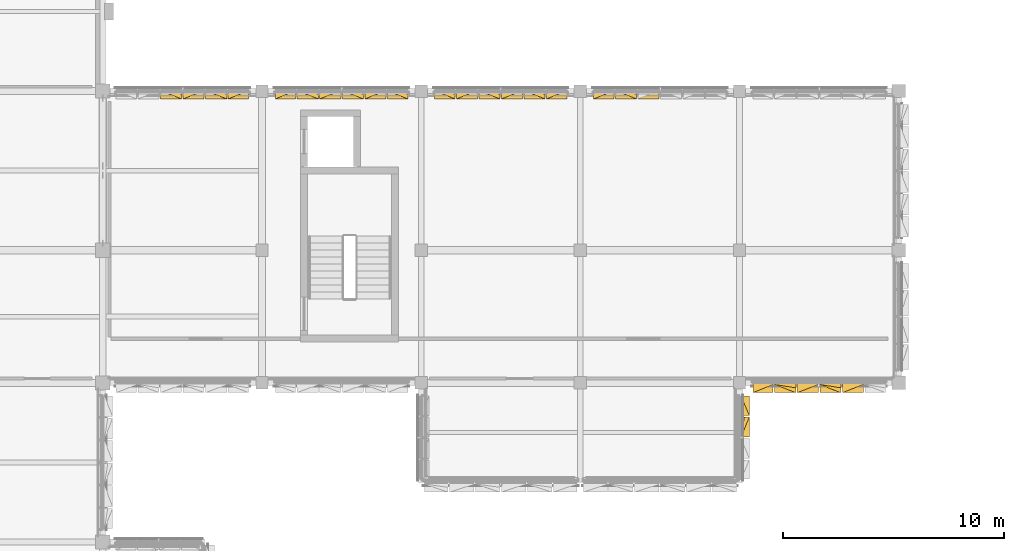
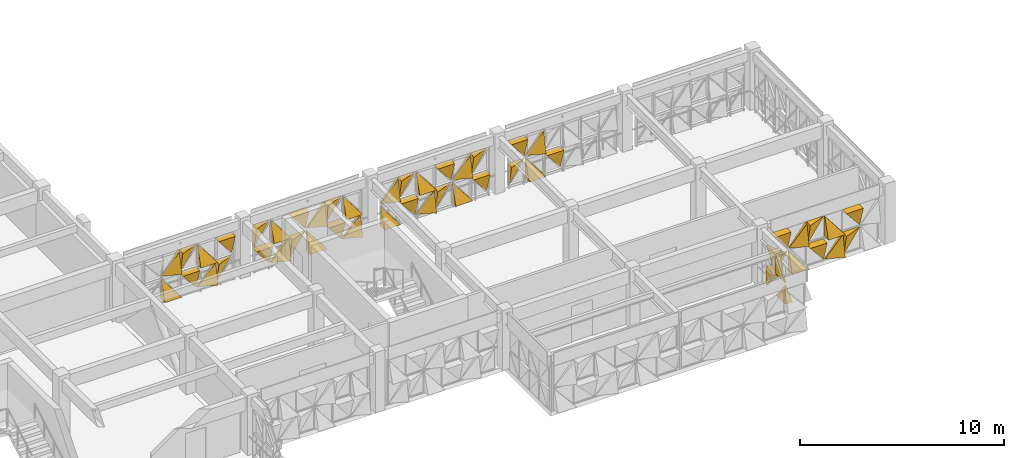
# One storey, part 83 of 85: 51 coverings.
"""IFC4 building model written with IfcOpenShell, lengths in metres."""

from ifc_helpers import new_model, si_unit, direction, frame, origin, place, context, subcontext, project, spatial, polygons, material, layer, layer_set, type_object, element, save


model = new_model("IFC4")

# Units and contexts
model_context = context("Model", 3, precision=1e-05, world=origin(), true_north=direction((0.0, 1.0)))
body_context = subcontext(model_context, "Body", "Model", "MODEL_VIEW")
ifc_project = project(units=[si_unit("LENGTHUNIT", "METRE"), si_unit("AREAUNIT", "SQUARE_METRE"), si_unit("VOLUMEUNIT", "CUBIC_METRE"), si_unit("PLANEANGLEUNIT", "RADIAN"), si_unit("MASSUNIT", "GRAM", prefix="KILO")], contexts=[model_context])

# Site, building, storey
site_placement = place(None, origin())
site = spatial("IfcSite", under=ifc_project, at=site_placement, CompositionType="ELEMENT")
building_placement = place(site_placement, origin())
building = spatial("IfcBuilding", under=site, at=building_placement, Name="Alvorim Cloister Faculty of Sciences", CompositionType="ELEMENT")
storey_placement = place(building_placement, frame((0.0, 0.0, 8.550048828125)))
storey = spatial("IfcBuildingStorey", under=building, at=storey_placement, Name="L02", CompositionType="ELEMENT", Elevation=8.550048828125)

# Coverings
ifc_material = material(Name="Perforated Bronze Alloy Sheet", Category="metal")
ifc_layer = layer(ifc_material, 0.0380859375)
ifc_layer_set = layer_set([ifc_layer], Name="Perforated Bronze Alloy Sheet")
covering_type = type_object("IfcCoveringType", Name="COV-TRI-BRZ", PredefinedType="CLADDING", material=ifc_layer_set)
covering_1_placement = place(storey_placement, frame((31.41259765625, 56.445068359375, 0.139892578125), z_axis=(0.0, 0.0, 1.0), x_axis=(1.0, 0.0, 0.0)))
element("IfcCovering", 1, at=covering_1_placement, inside=storey, type_object=covering_type, Name="Diagonal Solid Metal Triangle TRI-BL", PredefinedType="CLADDING", context=body_context, shape_type="Tessellation", body=[
    polygons([(0.0, 0.0260009765625, 0.0), (0.953078125, 0.0260009765625, 0.0), (0.0, 0.0260009765625, 1.213087890625), (0.0, -0.4, 0.0), (0.953078125, -0.4, 0.0), (0.0, -0.03, 1.213087890625)], [[[1, 3, 2]], [[4, 5, 6]], [[1, 2, 5, 4]], [[2, 3, 6, 5]], [[3, 1, 4, 6]]], closed=True),
])
covering_2_placement = place(storey_placement, frame((31.41259765625, 56.445068359375, 1.494873046875), z_axis=(0.0, 0.0, 1.0), x_axis=(1.0, 0.0, 0.0)))
element("IfcCovering", 2, at=covering_2_placement, inside=storey, type_object=covering_type, Name="Diagonal Solid Metal Triangle TRI-BR", PredefinedType="CLADDING", context=body_context, shape_type="Tessellation", body=[
    polygons([(0.002, 0.0260009765625, 0.0), (0.955078125, 0.0260009765625, 0.0), (0.955078125, 0.0260009765625, 1.213087890625), (0.002, -0.03, 0.0), (0.955078125, -0.4, 0.0), (0.955078125, -0.18000000000000002, 1.213087890625)], [[[1, 3, 2]], [[4, 5, 6]], [[1, 2, 5, 4]], [[2, 3, 6, 5]], [[3, 1, 4, 6]]], closed=True),
])
covering_3_placement = place(storey_placement, frame((32.4326171875, 56.445068359375, 0.139892578125), z_axis=(0.0, 0.0, 1.0), x_axis=(1.0, 0.0, 0.0)))
element("IfcCovering", 3, at=covering_3_placement, inside=storey, type_object=covering_type, Name="Diagonal Solid Metal Triangle TRI-TR", PredefinedType="CLADDING", context=body_context, shape_type="Tessellation", body=[
    polygons([(0.955078125, 0.0260009765625, 0.002), (0.955078125, 0.0260009765625, 1.215087890625), (0.002, 0.0260009765625, 1.215087890625), (0.955078125, -0.03, 0.002), (0.955078125, -0.4, 1.215087890625), (0.002, -0.4, 1.215087890625)], [[[1, 3, 2]], [[4, 5, 6]], [[1, 2, 5, 4]], [[2, 3, 6, 5]], [[3, 1, 4, 6]]], closed=True),
])
covering_4_placement = place(storey_placement, frame((32.4326171875, 56.445068359375, 1.494873046875), z_axis=(0.0, 0.0, 1.0), x_axis=(1.0, 0.0, 0.0)))
element("IfcCovering", 4, at=covering_4_placement, inside=storey, type_object=covering_type, Name="Diagonal Solid Metal Triangle TRI-TL", PredefinedType="CLADDING", context=body_context, shape_type="Tessellation", body=[
    polygons([(0.953078125, 0.0260009765625, 1.215087890625), (0.0, 0.0260009765625, 1.215087890625), (0.0, 0.0260009765625, 0.002), (0.953078125, -0.03, 1.215087890625), (0.0, -0.4, 1.215087890625), (0.0, -0.13999999999999999, 0.002)], [[[1, 3, 2]], [[4, 5, 6]], [[1, 2, 5, 4]], [[2, 3, 6, 5]], [[3, 1, 4, 6]]], closed=True),
])
covering_5_placement = place(storey_placement, frame((33.452392578125, 56.445068359375, 0.139892578125), z_axis=(0.0, 0.0, 1.0), x_axis=(1.0, 0.0, 0.0)))
element("IfcCovering", 5, at=covering_5_placement, inside=storey, type_object=covering_type, Name="Diagonal Solid Metal Triangle TRI-BR", PredefinedType="CLADDING", context=body_context, shape_type="Tessellation", body=[
    polygons([(0.002, 0.0260009765625, 0.0), (0.955078125, 0.0260009765625, 0.0), (0.955078125, 0.0260009765625, 1.213087890625), (0.002, -0.03, 0.0), (0.955078125, -0.4, 0.0), (0.955078125, -0.18000000000000002, 1.213087890625)], [[[1, 3, 2]], [[4, 5, 6]], [[1, 2, 5, 4]], [[2, 3, 6, 5]], [[3, 1, 4, 6]]], closed=True),
])
covering_6_placement = place(storey_placement, frame((33.452392578125, 56.445068359375, 1.494873046875), z_axis=(0.0, 0.0, 1.0), x_axis=(1.0, 0.0, 0.0)))
element("IfcCovering", 6, at=covering_6_placement, inside=storey, type_object=covering_type, Name="Diagonal Solid Metal Triangle TRI-BL", PredefinedType="CLADDING", context=body_context, shape_type="Tessellation", body=[
    polygons([(0.0, 0.0260009765625, 0.0), (0.953078125, 0.0260009765625, 0.0), (0.0, 0.0260009765625, 1.213087890625), (0.0, -0.4, 0.0), (0.953078125, -0.4, 0.0), (0.0, -0.03, 1.213087890625)], [[[1, 3, 2]], [[4, 5, 6]], [[1, 2, 5, 4]], [[2, 3, 6, 5]], [[3, 1, 4, 6]]], closed=True),
])
covering_7_placement = place(storey_placement, frame((34.472412109375, 56.445068359375, 0.139892578125), z_axis=(0.0, 0.0, 1.0), x_axis=(1.0, 0.0, 0.0)))
element("IfcCovering", 7, at=covering_7_placement, inside=storey, type_object=covering_type, Name="Diagonal Solid Metal Triangle TRI-TL", PredefinedType="CLADDING", context=body_context, shape_type="Tessellation", body=[
    polygons([(0.920607421875, 0.0260009765625, 1.215087890625), (0.0, 0.0260009765625, 1.215087890625), (0.0, 0.0260009765625, 0.002), (0.920607421875, -0.03, 1.215087890625), (0.0, -0.4, 1.215087890625), (0.0, -0.13999999999999999, 0.002)], [[[1, 3, 2]], [[4, 5, 6]], [[1, 2, 5, 4]], [[2, 3, 6, 5]], [[3, 1, 4, 6]]], closed=True),
])
for number, where, z_axis, x_axis, name in (
    (8, (34.472412109375, 56.445068359375, 1.494873046875), (0.0, 0.0, 1.0), (1.0, 0.0, 0.0), "Diagonal Solid Metal Triangle TRI-TR"),
    (9, (36.60498046875, 56.445068359375, 0.139892578125), (0.0, 0.0, 1.0), (1.0, 0.0, 0.0), "Diagonal Solid Metal Triangle TRI-TR"),
):
    element("IfcCovering", number, at=place(storey_placement, frame(where, z_axis=z_axis, x_axis=x_axis)), inside=storey, type_object=covering_type, Name=name, PredefinedType="CLADDING", context=body_context, shape_type="Tessellation", body=[
        polygons([(0.922607421875, 0.0260009765625, 0.002), (0.922607421875, 0.0260009765625, 1.215087890625), (0.002, 0.0260009765625, 1.215087890625), (0.922607421875, -0.03, 0.002), (0.922607421875, -0.4, 1.215087890625), (0.002, -0.4, 1.215087890625)], [[[1, 3, 2]], [[4, 5, 6]], [[1, 2, 5, 4]], [[2, 3, 6, 5]], [[3, 1, 4, 6]]], closed=True),
    ])
covering_8_placement = place(storey_placement, frame((36.60498046875, 56.445068359375, 1.494873046875), z_axis=(0.0, 0.0, 1.0), x_axis=(1.0, 0.0, 0.0)))
element("IfcCovering", 10, at=covering_8_placement, inside=storey, type_object=covering_type, Name="Diagonal Solid Metal Triangle TRI-TL", PredefinedType="CLADDING", context=body_context, shape_type="Tessellation", body=[
    polygons([(0.920607421875, 0.0260009765625, 1.215087890625), (0.0, 0.0260009765625, 1.215087890625), (0.0, 0.0260009765625, 0.002), (0.920607421875, -0.03, 1.215087890625), (0.0, -0.4, 1.215087890625), (0.0, -0.13999999999999999, 0.002)], [[[1, 3, 2]], [[4, 5, 6]], [[1, 2, 5, 4]], [[2, 3, 6, 5]], [[3, 1, 4, 6]]], closed=True),
])
covering_9_placement = place(storey_placement, frame((37.592529296875, 56.445068359375, 0.139892578125), z_axis=(0.0, 0.0, 1.0), x_axis=(1.0, 0.0, 0.0)))
element("IfcCovering", 11, at=covering_9_placement, inside=storey, type_object=covering_type, Name="Diagonal Solid Metal Triangle TRI-BR", PredefinedType="CLADDING", context=body_context, shape_type="Tessellation", body=[
    polygons([(0.002, 0.0260009765625, 0.0), (0.955078125, 0.0260009765625, 0.0), (0.955078125, 0.0260009765625, 1.213087890625), (0.002, -0.03, 0.0), (0.955078125, -0.4, 0.0), (0.955078125, -0.18000000000000002, 1.213087890625)], [[[1, 3, 2]], [[4, 5, 6]], [[1, 2, 5, 4]], [[2, 3, 6, 5]], [[3, 1, 4, 6]]], closed=True),
])
covering_10_placement = place(storey_placement, frame((37.592529296875, 56.445068359375, 1.494873046875), z_axis=(0.0, 0.0, 1.0), x_axis=(1.0, 0.0, 0.0)))
element("IfcCovering", 12, at=covering_10_placement, inside=storey, type_object=covering_type, Name="Diagonal Solid Metal Triangle TRI-BL", PredefinedType="CLADDING", context=body_context, shape_type="Tessellation", body=[
    polygons([(0.0, 0.0260009765625, 0.0), (0.953078125, 0.0260009765625, 0.0), (0.0, 0.0260009765625, 1.213087890625), (0.0, -0.4, 0.0), (0.953078125, -0.4, 0.0), (0.0, -0.03, 1.213087890625)], [[[1, 3, 2]], [[4, 5, 6]], [[1, 2, 5, 4]], [[2, 3, 6, 5]], [[3, 1, 4, 6]]], closed=True),
])
covering_11_placement = place(storey_placement, frame((38.612548828125, 56.445068359375, 0.139892578125), z_axis=(0.0, 0.0, 1.0), x_axis=(1.0, 0.0, 0.0)))
element("IfcCovering", 13, at=covering_11_placement, inside=storey, type_object=covering_type, Name="Diagonal Solid Metal Triangle TRI-TL", PredefinedType="CLADDING", context=body_context, shape_type="Tessellation", body=[
    polygons([(0.953078125, 0.0260009765625, 1.215087890625), (0.0, 0.0260009765625, 1.215087890625), (0.0, 0.0260009765625, 0.002), (0.953078125, -0.03, 1.215087890625), (0.0, -0.4, 1.215087890625), (0.0, -0.13999999999999999, 0.002)], [[[1, 3, 2]], [[4, 5, 6]], [[1, 2, 5, 4]], [[2, 3, 6, 5]], [[3, 1, 4, 6]]], closed=True),
])
covering_12_placement = place(storey_placement, frame((38.612548828125, 56.445068359375, 1.494873046875), z_axis=(0.0, 0.0, 1.0), x_axis=(1.0, 0.0, 0.0)))
element("IfcCovering", 14, at=covering_12_placement, inside=storey, type_object=covering_type, Name="Diagonal Solid Metal Triangle TRI-TR", PredefinedType="CLADDING", context=body_context, shape_type="Tessellation", body=[
    polygons([(0.955078125, 0.0260009765625, 0.002), (0.955078125, 0.0260009765625, 1.215087890625), (0.002, 0.0260009765625, 1.215087890625), (0.955078125, -0.03, 0.002), (0.955078125, -0.4, 1.215087890625), (0.002, -0.4, 1.215087890625)], [[[1, 3, 2]], [[4, 5, 6]], [[1, 2, 5, 4]], [[2, 3, 6, 5]], [[3, 1, 4, 6]]], closed=True),
])
covering_13_placement = place(storey_placement, frame((39.632568359375, 56.445068359375, 0.139892578125), z_axis=(0.0, 0.0, 1.0), x_axis=(1.0, 0.0, 0.0)))
element("IfcCovering", 15, at=covering_13_placement, inside=storey, type_object=covering_type, Name="Diagonal Solid Metal Triangle TRI-BL", PredefinedType="CLADDING", context=body_context, shape_type="Tessellation", body=[
    polygons([(0.0, 0.0260009765625, 0.0), (0.953078125, 0.0260009765625, 0.0), (0.0, 0.0260009765625, 1.213087890625), (0.0, -0.4, 0.0), (0.953078125, -0.4, 0.0), (0.0, -0.03, 1.213087890625)], [[[1, 3, 2]], [[4, 5, 6]], [[1, 2, 5, 4]], [[2, 3, 6, 5]], [[3, 1, 4, 6]]], closed=True),
])
covering_14_placement = place(storey_placement, frame((39.632568359375, 56.445068359375, 1.494873046875), z_axis=(0.0, 0.0, 1.0), x_axis=(1.0, 0.0, 0.0)))
element("IfcCovering", 16, at=covering_14_placement, inside=storey, type_object=covering_type, Name="Diagonal Solid Metal Triangle TRI-BR", PredefinedType="CLADDING", context=body_context, shape_type="Tessellation", body=[
    polygons([(0.002, 0.0260009765625, 0.0), (0.955078125, 0.0260009765625, 0.0), (0.955078125, 0.0260009765625, 1.213087890625), (0.002, -0.03, 0.0), (0.955078125, -0.4, 0.0), (0.955078125, -0.18000000000000002, 1.213087890625)], [[[1, 3, 2]], [[4, 5, 6]], [[1, 2, 5, 4]], [[2, 3, 6, 5]], [[3, 1, 4, 6]]], closed=True),
])
covering_15_placement = place(storey_placement, frame((40.652587890625, 56.445068359375, 0.139892578125), z_axis=(0.0, 0.0, 1.0), x_axis=(1.0, 0.0, 0.0)))
element("IfcCovering", 17, at=covering_15_placement, inside=storey, type_object=covering_type, Name="Diagonal Solid Metal Triangle TRI-TR", PredefinedType="CLADDING", context=body_context, shape_type="Tessellation", body=[
    polygons([(0.955078125, 0.0260009765625, 0.002), (0.955078125, 0.0260009765625, 1.215087890625), (0.002, 0.0260009765625, 1.215087890625), (0.955078125, -0.03, 0.002), (0.955078125, -0.4, 1.215087890625), (0.002, -0.4, 1.215087890625)], [[[1, 3, 2]], [[4, 5, 6]], [[1, 2, 5, 4]], [[2, 3, 6, 5]], [[3, 1, 4, 6]]], closed=True),
])
covering_16_placement = place(storey_placement, frame((40.652587890625, 56.445068359375, 1.494873046875), z_axis=(0.0, 0.0, 1.0), x_axis=(1.0, 0.0, 0.0)))
element("IfcCovering", 18, at=covering_16_placement, inside=storey, type_object=covering_type, Name="Diagonal Solid Metal Triangle TRI-TL", PredefinedType="CLADDING", context=body_context, shape_type="Tessellation", body=[
    polygons([(0.953078125, 0.0260009765625, 1.215087890625), (0.0, 0.0260009765625, 1.215087890625), (0.0, 0.0260009765625, 0.002), (0.953078125, -0.03, 1.215087890625), (0.0, -0.4, 1.215087890625), (0.0, -0.13999999999999999, 0.002)], [[[1, 3, 2]], [[4, 5, 6]], [[1, 2, 5, 4]], [[2, 3, 6, 5]], [[3, 1, 4, 6]]], closed=True),
])
covering_17_placement = place(storey_placement, frame((41.672607421875, 56.445068359375, 0.139892578125), z_axis=(0.0, 0.0, 1.0), x_axis=(1.0, 0.0, 0.0)))
element("IfcCovering", 19, at=covering_17_placement, inside=storey, type_object=covering_type, Name="Diagonal Solid Metal Triangle TRI-BR", PredefinedType="CLADDING", context=body_context, shape_type="Tessellation", body=[
    polygons([(0.002, 0.0260009765625, 0.0), (0.922607421875, 0.0260009765625, 0.0), (0.922607421875, 0.0260009765625, 1.213087890625), (0.002, -0.03, 0.0), (0.922607421875, -0.4, 0.0), (0.922607421875, -0.18000000000000002, 1.213087890625)], [[[1, 3, 2]], [[4, 5, 6]], [[1, 2, 5, 4]], [[2, 3, 6, 5]], [[3, 1, 4, 6]]], closed=True),
])
for number, where, z_axis, x_axis, name in (
    (20, (41.672607421875, 56.445068359375, 1.494873046875), (0.0, 0.0, 1.0), (1.0, 0.0, 0.0), "Diagonal Solid Metal Triangle TRI-BL"),
    (21, (43.804931640625, 56.445068359375, 0.139892578125), (0.0, 0.0, 1.0), (1.0, 0.0, 0.0), "Diagonal Solid Metal Triangle TRI-BL"),
):
    element("IfcCovering", number, at=place(storey_placement, frame(where, z_axis=z_axis, x_axis=x_axis)), inside=storey, type_object=covering_type, Name=name, PredefinedType="CLADDING", context=body_context, shape_type="Tessellation", body=[
        polygons([(0.0, 0.0260009765625, 0.0), (0.920607421875, 0.0260009765625, 0.0), (0.0, 0.0260009765625, 1.213087890625), (0.0, -0.4, 0.0), (0.920607421875, -0.4, 0.0), (0.0, -0.03, 1.213087890625)], [[[1, 3, 2]], [[4, 5, 6]], [[1, 2, 5, 4]], [[2, 3, 6, 5]], [[3, 1, 4, 6]]], closed=True),
    ])
covering_18_placement = place(storey_placement, frame((43.804931640625, 56.445068359375, 1.494873046875), z_axis=(0.0, 0.0, 1.0), x_axis=(1.0, 0.0, 0.0)))
element("IfcCovering", 22, at=covering_18_placement, inside=storey, type_object=covering_type, Name="Diagonal Solid Metal Triangle TRI-BR", PredefinedType="CLADDING", context=body_context, shape_type="Tessellation", body=[
    polygons([(0.002, 0.0260009765625, 0.0), (0.922607421875, 0.0260009765625, 0.0), (0.922607421875, 0.0260009765625, 1.213087890625), (0.002, -0.03, 0.0), (0.922607421875, -0.4, 0.0), (0.922607421875, -0.18000000000000002, 1.213087890625)], [[[1, 3, 2]], [[4, 5, 6]], [[1, 2, 5, 4]], [[2, 3, 6, 5]], [[3, 1, 4, 6]]], closed=True),
])
covering_19_placement = place(storey_placement, frame((44.79248046875, 56.445068359375, 0.139892578125), z_axis=(0.0, 0.0, 1.0), x_axis=(1.0, 0.0, 0.0)))
element("IfcCovering", 23, at=covering_19_placement, inside=storey, type_object=covering_type, Name="Diagonal Solid Metal Triangle TRI-TR", PredefinedType="CLADDING", context=body_context, shape_type="Tessellation", body=[
    polygons([(0.955078125, 0.0260009765625, 0.002), (0.955078125, 0.0260009765625, 1.215087890625), (0.002, 0.0260009765625, 1.215087890625), (0.955078125, -0.03, 0.002), (0.955078125, -0.4, 1.215087890625), (0.002, -0.4, 1.215087890625)], [[[1, 3, 2]], [[4, 5, 6]], [[1, 2, 5, 4]], [[2, 3, 6, 5]], [[3, 1, 4, 6]]], closed=True),
])
covering_20_placement = place(storey_placement, frame((44.79248046875, 56.445068359375, 1.494873046875), z_axis=(0.0, 0.0, 1.0), x_axis=(1.0, 0.0, 0.0)))
element("IfcCovering", 24, at=covering_20_placement, inside=storey, type_object=covering_type, Name="Diagonal Solid Metal Triangle TRI-TL", PredefinedType="CLADDING", context=body_context, shape_type="Tessellation", body=[
    polygons([(0.953078125, 0.0260009765625, 1.215087890625), (0.0, 0.0260009765625, 1.215087890625), (0.0, 0.0260009765625, 0.002), (0.953078125, -0.03, 1.215087890625), (0.0, -0.4, 1.215087890625), (0.0, -0.13999999999999999, 0.002)], [[[1, 3, 2]], [[4, 5, 6]], [[1, 2, 5, 4]], [[2, 3, 6, 5]], [[3, 1, 4, 6]]], closed=True),
])
covering_21_placement = place(storey_placement, frame((45.8125, 56.445068359375, 0.139892578125), z_axis=(0.0, 0.0, 1.0), x_axis=(1.0, 0.0, 0.0)))
element("IfcCovering", 25, at=covering_21_placement, inside=storey, type_object=covering_type, Name="Diagonal Solid Metal Triangle TRI-BR", PredefinedType="CLADDING", context=body_context, shape_type="Tessellation", body=[
    polygons([(0.002, 0.0260009765625, 0.0), (0.955078125, 0.0260009765625, 0.0), (0.955078125, 0.0260009765625, 1.213087890625), (0.002, -0.03, 0.0), (0.955078125, -0.4, 0.0), (0.955078125, -0.18000000000000002, 1.213087890625)], [[[1, 3, 2]], [[4, 5, 6]], [[1, 2, 5, 4]], [[2, 3, 6, 5]], [[3, 1, 4, 6]]], closed=True),
])
covering_22_placement = place(storey_placement, frame((45.8125, 56.445068359375, 1.494873046875), z_axis=(0.0, 0.0, 1.0), x_axis=(1.0, 0.0, 0.0)))
element("IfcCovering", 26, at=covering_22_placement, inside=storey, type_object=covering_type, Name="Diagonal Solid Metal Triangle TRI-BL", PredefinedType="CLADDING", context=body_context, shape_type="Tessellation", body=[
    polygons([(0.0, 0.0260009765625, 0.0), (0.953078125, 0.0260009765625, 0.0), (0.0, 0.0260009765625, 1.213087890625), (0.0, -0.4, 0.0), (0.953078125, -0.4, 0.0), (0.0, -0.03, 1.213087890625)], [[[1, 3, 2]], [[4, 5, 6]], [[1, 2, 5, 4]], [[2, 3, 6, 5]], [[3, 1, 4, 6]]], closed=True),
])
covering_23_placement = place(storey_placement, frame((46.83251953125, 56.445068359375, 0.139892578125), z_axis=(0.0, 0.0, 1.0), x_axis=(1.0, 0.0, 0.0)))
element("IfcCovering", 27, at=covering_23_placement, inside=storey, type_object=covering_type, Name="Diagonal Solid Metal Triangle TRI-TL", PredefinedType="CLADDING", context=body_context, shape_type="Tessellation", body=[
    polygons([(0.953078125, 0.0260009765625, 1.215087890625), (0.0, 0.0260009765625, 1.215087890625), (0.0, 0.0260009765625, 0.002), (0.953078125, -0.03, 1.215087890625), (0.0, -0.4, 1.215087890625), (0.0, -0.13999999999999999, 0.002)], [[[1, 3, 2]], [[4, 5, 6]], [[1, 2, 5, 4]], [[2, 3, 6, 5]], [[3, 1, 4, 6]]], closed=True),
])
covering_24_placement = place(storey_placement, frame((46.83251953125, 56.445068359375, 1.494873046875), z_axis=(0.0, 0.0, 1.0), x_axis=(1.0, 0.0, 0.0)))
element("IfcCovering", 28, at=covering_24_placement, inside=storey, type_object=covering_type, Name="Diagonal Solid Metal Triangle TRI-TR", PredefinedType="CLADDING", context=body_context, shape_type="Tessellation", body=[
    polygons([(0.955078125, 0.0260009765625, 0.002), (0.955078125, 0.0260009765625, 1.215087890625), (0.002, 0.0260009765625, 1.215087890625), (0.955078125, -0.03, 0.002), (0.955078125, -0.4, 1.215087890625), (0.002, -0.4, 1.215087890625)], [[[1, 3, 2]], [[4, 5, 6]], [[1, 2, 5, 4]], [[2, 3, 6, 5]], [[3, 1, 4, 6]]], closed=True),
])
covering_25_placement = place(storey_placement, frame((47.8525390625, 56.445068359375, 0.139892578125), z_axis=(0.0, 0.0, 1.0), x_axis=(1.0, 0.0, 0.0)))
element("IfcCovering", 29, at=covering_25_placement, inside=storey, type_object=covering_type, Name="Diagonal Solid Metal Triangle TRI-BL", PredefinedType="CLADDING", context=body_context, shape_type="Tessellation", body=[
    polygons([(0.0, 0.0260009765625, 0.0), (0.953078125, 0.0260009765625, 0.0), (0.0, 0.0260009765625, 1.213087890625), (0.0, -0.4, 0.0), (0.953078125, -0.4, 0.0), (0.0, -0.03, 1.213087890625)], [[[1, 3, 2]], [[4, 5, 6]], [[1, 2, 5, 4]], [[2, 3, 6, 5]], [[3, 1, 4, 6]]], closed=True),
])
covering_26_placement = place(storey_placement, frame((47.8525390625, 56.445068359375, 1.494873046875), z_axis=(0.0, 0.0, 1.0), x_axis=(1.0, 0.0, 0.0)))
element("IfcCovering", 30, at=covering_26_placement, inside=storey, type_object=covering_type, Name="Diagonal Solid Metal Triangle TRI-BR", PredefinedType="CLADDING", context=body_context, shape_type="Tessellation", body=[
    polygons([(0.002, 0.0260009765625, 0.0), (0.955078125, 0.0260009765625, 0.0), (0.955078125, 0.0260009765625, 1.213087890625), (0.002, -0.03, 0.0), (0.955078125, -0.4, 0.0), (0.955078125, -0.18000000000000002, 1.213087890625)], [[[1, 3, 2]], [[4, 5, 6]], [[1, 2, 5, 4]], [[2, 3, 6, 5]], [[3, 1, 4, 6]]], closed=True),
])
covering_27_placement = place(storey_placement, frame((48.87255859375, 56.445068359375, 0.139892578125), z_axis=(0.0, 0.0, 1.0), x_axis=(1.0, 0.0, 0.0)))
element("IfcCovering", 31, at=covering_27_placement, inside=storey, type_object=covering_type, Name="Diagonal Solid Metal Triangle TRI-TR", PredefinedType="CLADDING", context=body_context, shape_type="Tessellation", body=[
    polygons([(0.922607421875, 0.0260009765625, 0.002), (0.922607421875, 0.0260009765625, 1.215087890625), (0.002, 0.0260009765625, 1.215087890625), (0.922607421875, -0.03, 0.002), (0.922607421875, -0.4, 1.215087890625), (0.002, -0.4, 1.215087890625)], [[[1, 3, 2]], [[4, 5, 6]], [[1, 2, 5, 4]], [[2, 3, 6, 5]], [[3, 1, 4, 6]]], closed=True),
])
for number, where, z_axis, x_axis, name in (
    (32, (48.87255859375, 56.445068359375, 1.494873046875), (0.0, 0.0, 1.0), (1.0, 0.0, 0.0), "Diagonal Solid Metal Triangle TRI-TL"),
    (33, (51.0048828125, 56.445068359375, 0.139892578125), (0.0, 0.0, 1.0), (1.0, 0.0, 0.0), "Diagonal Solid Metal Triangle TRI-TL"),
):
    element("IfcCovering", number, at=place(storey_placement, frame(where, z_axis=z_axis, x_axis=x_axis)), inside=storey, type_object=covering_type, Name=name, PredefinedType="CLADDING", context=body_context, shape_type="Tessellation", body=[
        polygons([(0.920607421875, 0.0260009765625, 1.215087890625), (0.0, 0.0260009765625, 1.215087890625), (0.0, 0.0260009765625, 0.002), (0.920607421875, -0.03, 1.215087890625), (0.0, -0.4, 1.215087890625), (0.0, -0.13999999999999999, 0.002)], [[[1, 3, 2]], [[4, 5, 6]], [[1, 2, 5, 4]], [[2, 3, 6, 5]], [[3, 1, 4, 6]]], closed=True),
    ])
covering_28_placement = place(storey_placement, frame((51.0048828125, 56.445068359375, 1.494873046875), z_axis=(0.0, 0.0, 1.0), x_axis=(1.0, 0.0, 0.0)))
element("IfcCovering", 34, at=covering_28_placement, inside=storey, type_object=covering_type, Name="Diagonal Solid Metal Triangle TRI-TR", PredefinedType="CLADDING", context=body_context, shape_type="Tessellation", body=[
    polygons([(0.922607421875, 0.0260009765625, 0.002), (0.922607421875, 0.0260009765625, 1.215087890625), (0.002, 0.0260009765625, 1.215087890625), (0.922607421875, -0.03, 0.002), (0.922607421875, -0.4, 1.215087890625), (0.002, -0.4, 1.215087890625)], [[[1, 3, 2]], [[4, 5, 6]], [[1, 2, 5, 4]], [[2, 3, 6, 5]], [[3, 1, 4, 6]]], closed=True),
])
covering_29_placement = place(storey_placement, frame((51.992431640625, 56.445068359375, 0.139892578125), z_axis=(0.0, 0.0, 1.0), x_axis=(1.0, 0.0, 0.0)))
element("IfcCovering", 35, at=covering_29_placement, inside=storey, type_object=covering_type, Name="Diagonal Solid Metal Triangle TRI-BL", PredefinedType="CLADDING", context=body_context, shape_type="Tessellation", body=[
    polygons([(0.0, 0.0260009765625, 0.0), (0.953078125, 0.0260009765625, 0.0), (0.0, 0.0260009765625, 1.213087890625), (0.0, -0.4, 0.0), (0.953078125, -0.4, 0.0), (0.0, -0.03, 1.213087890625)], [[[1, 3, 2]], [[4, 5, 6]], [[1, 2, 5, 4]], [[2, 3, 6, 5]], [[3, 1, 4, 6]]], closed=True),
])
covering_30_placement = place(storey_placement, frame((51.992431640625, 56.445068359375, 1.494873046875), z_axis=(0.0, 0.0, 1.0), x_axis=(1.0, 0.0, 0.0)))
element("IfcCovering", 36, at=covering_30_placement, inside=storey, type_object=covering_type, Name="Diagonal Solid Metal Triangle TRI-BR", PredefinedType="CLADDING", context=body_context, shape_type="Tessellation", body=[
    polygons([(0.002, 0.0260009765625, 0.0), (0.955078125, 0.0260009765625, 0.0), (0.955078125, 0.0260009765625, 1.213087890625), (0.002, -0.03, 0.0), (0.955078125, -0.4, 0.0), (0.955078125, -0.18000000000000002, 1.213087890625)], [[[1, 3, 2]], [[4, 5, 6]], [[1, 2, 5, 4]], [[2, 3, 6, 5]], [[3, 1, 4, 6]]], closed=True),
])
covering_31_placement = place(storey_placement, frame((53.012451171875, 56.445068359375, 0.139892578125), z_axis=(0.0, 0.0, 1.0), x_axis=(1.0, 0.0, 0.0)))
element("IfcCovering", 37, at=covering_31_placement, inside=storey, type_object=covering_type, Name="Diagonal Solid Metal Triangle TRI-TR", PredefinedType="CLADDING", context=body_context, shape_type="Tessellation", body=[
    polygons([(0.955078125, 0.0260009765625, 0.002), (0.955078125, 0.0260009765625, 1.215087890625), (0.002, 0.0260009765625, 1.215087890625), (0.955078125, -0.03, 0.002), (0.955078125, -0.4, 1.215087890625), (0.002, -0.4, 1.215087890625)], [[[1, 3, 2]], [[4, 5, 6]], [[1, 2, 5, 4]], [[2, 3, 6, 5]], [[3, 1, 4, 6]]], closed=True),
])
covering_32_placement = place(storey_placement, frame((58.205078125, 43.155029296875, 0.139892578125), z_axis=(0.0, 0.0, 1.0), x_axis=(1.0, 0.0, 0.0)))
element("IfcCovering", 38, at=covering_32_placement, inside=storey, type_object=covering_type, Name="Diagonal Solid Metal Triangle TRI-TL", PredefinedType="CLADDING", context=body_context, shape_type="Tessellation", body=[
    polygons([(0.920607421875, 0.0260009765625, 1.215087890625), (0.0, 0.0260009765625, 1.215087890625), (0.0, 0.0260009765625, 0.002), (0.920607421875, -0.03, 1.215087890625), (0.0, -0.4, 1.215087890625), (0.0, -0.13999999999999999, 0.002)], [[[1, 3, 2]], [[4, 5, 6]], [[1, 2, 5, 4]], [[2, 3, 6, 5]], [[3, 1, 4, 6]]], closed=True),
])
covering_33_placement = place(storey_placement, frame((58.205078125, 43.155029296875, 1.494873046875), z_axis=(0.0, 0.0, 1.0), x_axis=(1.0, 0.0, 0.0)))
element("IfcCovering", 39, at=covering_33_placement, inside=storey, type_object=covering_type, Name="Diagonal Solid Metal Triangle TRI-TR", PredefinedType="CLADDING", context=body_context, shape_type="Tessellation", body=[
    polygons([(0.922607421875, 0.0260009765625, 0.002), (0.922607421875, 0.0260009765625, 1.215087890625), (0.002, 0.0260009765625, 1.215087890625), (0.922607421875, -0.03, 0.002), (0.922607421875, -0.4, 1.215087890625), (0.002, -0.4, 1.215087890625)], [[[1, 3, 2]], [[4, 5, 6]], [[1, 2, 5, 4]], [[2, 3, 6, 5]], [[3, 1, 4, 6]]], closed=True),
])
covering_34_placement = place(storey_placement, frame((59.1923828125, 43.155029296875, 0.139892578125), z_axis=(0.0, 0.0, 1.0), x_axis=(1.0, 0.0, 0.0)))
element("IfcCovering", 40, at=covering_34_placement, inside=storey, type_object=covering_type, Name="Diagonal Solid Metal Triangle TRI-BL", PredefinedType="CLADDING", context=body_context, shape_type="Tessellation", body=[
    polygons([(0.0, 0.0260009765625, 0.0), (0.953078125, 0.0260009765625, 0.0), (0.0, 0.0260009765625, 1.213087890625), (0.0, -0.4, 0.0), (0.953078125, -0.4, 0.0), (0.0, -0.03, 1.213087890625)], [[[1, 3, 2]], [[4, 5, 6]], [[1, 2, 5, 4]], [[2, 3, 6, 5]], [[3, 1, 4, 6]]], closed=True),
])
covering_35_placement = place(storey_placement, frame((59.1923828125, 43.155029296875, 1.494873046875), z_axis=(0.0, 0.0, 1.0), x_axis=(1.0, 0.0, 0.0)))
element("IfcCovering", 41, at=covering_35_placement, inside=storey, type_object=covering_type, Name="Diagonal Solid Metal Triangle TRI-BR", PredefinedType="CLADDING", context=body_context, shape_type="Tessellation", body=[
    polygons([(0.002, 0.0260009765625, 0.0), (0.955078125, 0.0260009765625, 0.0), (0.955078125, 0.0260009765625, 1.213087890625), (0.002, -0.03, 0.0), (0.955078125, -0.4, 0.0), (0.955078125, -0.18000000000000002, 1.213087890625)], [[[1, 3, 2]], [[4, 5, 6]], [[1, 2, 5, 4]], [[2, 3, 6, 5]], [[3, 1, 4, 6]]], closed=True),
])
covering_36_placement = place(storey_placement, frame((60.21240234375, 43.155029296875, 0.139892578125), z_axis=(0.0, 0.0, 1.0), x_axis=(1.0, 0.0, 0.0)))
element("IfcCovering", 42, at=covering_36_placement, inside=storey, type_object=covering_type, Name="Diagonal Solid Metal Triangle TRI-TR", PredefinedType="CLADDING", context=body_context, shape_type="Tessellation", body=[
    polygons([(0.955078125, 0.0260009765625, 0.002), (0.955078125, 0.0260009765625, 1.215087890625), (0.002, 0.0260009765625, 1.215087890625), (0.955078125, -0.03, 0.002), (0.955078125, -0.4, 1.215087890625), (0.002, -0.4, 1.215087890625)], [[[1, 3, 2]], [[4, 5, 6]], [[1, 2, 5, 4]], [[2, 3, 6, 5]], [[3, 1, 4, 6]]], closed=True),
])
covering_37_placement = place(storey_placement, frame((60.21240234375, 43.155029296875, 1.494873046875), z_axis=(0.0, 0.0, 1.0), x_axis=(1.0, 0.0, 0.0)))
element("IfcCovering", 43, at=covering_37_placement, inside=storey, type_object=covering_type, Name="Diagonal Solid Metal Triangle TRI-TL", PredefinedType="CLADDING", context=body_context, shape_type="Tessellation", body=[
    polygons([(0.953078125, 0.0260009765625, 1.215087890625), (0.0, 0.0260009765625, 1.215087890625), (0.0, 0.0260009765625, 0.002), (0.953078125, -0.03, 1.215087890625), (0.0, -0.4, 1.215087890625), (0.0, -0.13999999999999999, 0.002)], [[[1, 3, 2]], [[4, 5, 6]], [[1, 2, 5, 4]], [[2, 3, 6, 5]], [[3, 1, 4, 6]]], closed=True),
])
covering_38_placement = place(storey_placement, frame((61.232421875, 43.155029296875, 0.139892578125), z_axis=(0.0, 0.0, 1.0), x_axis=(1.0, 0.0, 0.0)))
element("IfcCovering", 44, at=covering_38_placement, inside=storey, type_object=covering_type, Name="Diagonal Solid Metal Triangle TRI-BR", PredefinedType="CLADDING", context=body_context, shape_type="Tessellation", body=[
    polygons([(0.002, 0.0260009765625, 0.0), (0.955078125, 0.0260009765625, 0.0), (0.955078125, 0.0260009765625, 1.213087890625), (0.002, -0.03, 0.0), (0.955078125, -0.4, 0.0), (0.955078125, -0.18000000000000002, 1.213087890625)], [[[1, 3, 2]], [[4, 5, 6]], [[1, 2, 5, 4]], [[2, 3, 6, 5]], [[3, 1, 4, 6]]], closed=True),
])
covering_39_placement = place(storey_placement, frame((61.232421875, 43.155029296875, 1.494873046875), z_axis=(0.0, 0.0, 1.0), x_axis=(1.0, 0.0, 0.0)))
element("IfcCovering", 45, at=covering_39_placement, inside=storey, type_object=covering_type, Name="Diagonal Solid Metal Triangle TRI-BL", PredefinedType="CLADDING", context=body_context, shape_type="Tessellation", body=[
    polygons([(0.0, 0.0260009765625, 0.0), (0.953078125, 0.0260009765625, 0.0), (0.0, 0.0260009765625, 1.213087890625), (0.0, -0.4, 0.0), (0.953078125, -0.4, 0.0), (0.0, -0.03, 1.213087890625)], [[[1, 3, 2]], [[4, 5, 6]], [[1, 2, 5, 4]], [[2, 3, 6, 5]], [[3, 1, 4, 6]]], closed=True),
])
covering_40_placement = place(storey_placement, frame((62.25244140625, 43.155029296875, 0.139892578125), z_axis=(0.0, 0.0, 1.0), x_axis=(1.0, 0.0, 0.0)))
element("IfcCovering", 46, at=covering_40_placement, inside=storey, type_object=covering_type, Name="Diagonal Solid Metal Triangle TRI-TL", PredefinedType="CLADDING", context=body_context, shape_type="Tessellation", body=[
    polygons([(0.953078125, 0.0260009765625, 1.215087890625), (0.0, 0.0260009765625, 1.215087890625), (0.0, 0.0260009765625, 0.002), (0.953078125, -0.03, 1.215087890625), (0.0, -0.4, 1.215087890625), (0.0, -0.13999999999999999, 0.002)], [[[1, 3, 2]], [[4, 5, 6]], [[1, 2, 5, 4]], [[2, 3, 6, 5]], [[3, 1, 4, 6]]], closed=True),
])
covering_41_placement = place(storey_placement, frame((62.25244140625, 43.155029296875, 1.494873046875), z_axis=(0.0, 0.0, 1.0), x_axis=(1.0, 0.0, 0.0)))
element("IfcCovering", 47, at=covering_41_placement, inside=storey, type_object=covering_type, Name="Diagonal Solid Metal Triangle TRI-TR", PredefinedType="CLADDING", context=body_context, shape_type="Tessellation", body=[
    polygons([(0.955078125, 0.0260009765625, 0.002), (0.955078125, 0.0260009765625, 1.215087890625), (0.002, 0.0260009765625, 1.215087890625), (0.955078125, -0.03, 0.002), (0.955078125, -0.4, 1.215087890625), (0.002, -0.4, 1.215087890625)], [[[1, 3, 2]], [[4, 5, 6]], [[1, 2, 5, 4]], [[2, 3, 6, 5]], [[3, 1, 4, 6]]], closed=True),
])
covering_42_placement = place(storey_placement, frame((57.64501953125, 40.75244140625, 0.139892578125), z_axis=(0.0, 0.0, 1.0), x_axis=(0.0, 1.0, 0.0)))
element("IfcCovering", 48, at=covering_42_placement, inside=storey, type_object=covering_type, Name="Diagonal Solid Metal Triangle TRI-BL", PredefinedType="CLADDING", context=body_context, shape_type="Tessellation", body=[
    polygons([(0.0, 0.0260009765625, 0.0), (0.903029296875, 0.0260009765625, 0.0), (0.0, 0.0260009765625, 1.14106640625), (0.0, -0.4, 0.0), (0.903029296875, -0.4, 0.0), (0.0, -0.03, 1.14106640625)], [[[1, 3, 2]], [[4, 5, 6]], [[1, 2, 5, 4]], [[2, 3, 6, 5]], [[3, 1, 4, 6]]], closed=True),
])
covering_43_placement = place(storey_placement, frame((57.64501953125, 40.75244140625, 1.4228515625), z_axis=(0.0, 0.0, 1.0), x_axis=(0.0, 1.0, 0.0)))
element("IfcCovering", 49, at=covering_43_placement, inside=storey, type_object=covering_type, Name="Diagonal Solid Metal Triangle TRI-BR", PredefinedType="CLADDING", context=body_context, shape_type="Tessellation", body=[
    polygons([(0.002, 0.0260009765625, 0.0), (0.905029296875, 0.0260009765625, 0.0), (0.905029296875, 0.0260009765625, 1.14106640625), (0.002, -0.03, 0.0), (0.905029296875, -0.4, 0.0), (0.905029296875, -0.18000000000000002, 1.14106640625)], [[[1, 3, 2]], [[4, 5, 6]], [[1, 2, 5, 4]], [[2, 3, 6, 5]], [[3, 1, 4, 6]]], closed=True),
])
covering_44_placement = place(storey_placement, frame((57.64501953125, 41.722412109375, 0.139892578125), z_axis=(0.0, 0.0, 1.0), x_axis=(0.0, 1.0, 0.0)))
element("IfcCovering", 50, at=covering_44_placement, inside=storey, type_object=covering_type, Name="Diagonal Solid Metal Triangle TRI-TR", PredefinedType="CLADDING", context=body_context, shape_type="Tessellation", body=[
    polygons([(0.87255859375, 0.0260009765625, 0.002), (0.87255859375, 0.0260009765625, 1.14306640625), (0.002, 0.0260009765625, 1.14306640625), (0.87255859375, -0.03, 0.002), (0.87255859375, -0.4, 1.14306640625), (0.002, -0.4, 1.14306640625)], [[[1, 3, 2]], [[4, 5, 6]], [[1, 2, 5, 4]], [[2, 3, 6, 5]], [[3, 1, 4, 6]]], closed=True),
])
covering_45_placement = place(storey_placement, frame((57.64501953125, 41.722412109375, 1.4228515625), z_axis=(0.0, 0.0, 1.0), x_axis=(0.0, 1.0, 0.0)))
element("IfcCovering", 51, at=covering_45_placement, inside=storey, type_object=covering_type, Name="Diagonal Solid Metal Triangle TRI-TL", PredefinedType="CLADDING", context=body_context, shape_type="Tessellation", body=[
    polygons([(0.87055859375, 0.0260009765625, 1.14306640625), (0.0, 0.0260009765625, 1.14306640625), (0.0, 0.0260009765625, 0.002), (0.87055859375, -0.03, 1.14306640625), (0.0, -0.4, 1.14306640625), (0.0, -0.13999999999999999, 0.002)], [[[1, 3, 2]], [[4, 5, 6]], [[1, 2, 5, 4]], [[2, 3, 6, 5]], [[3, 1, 4, 6]]], closed=True),
])

save(model, "model.ifc")
